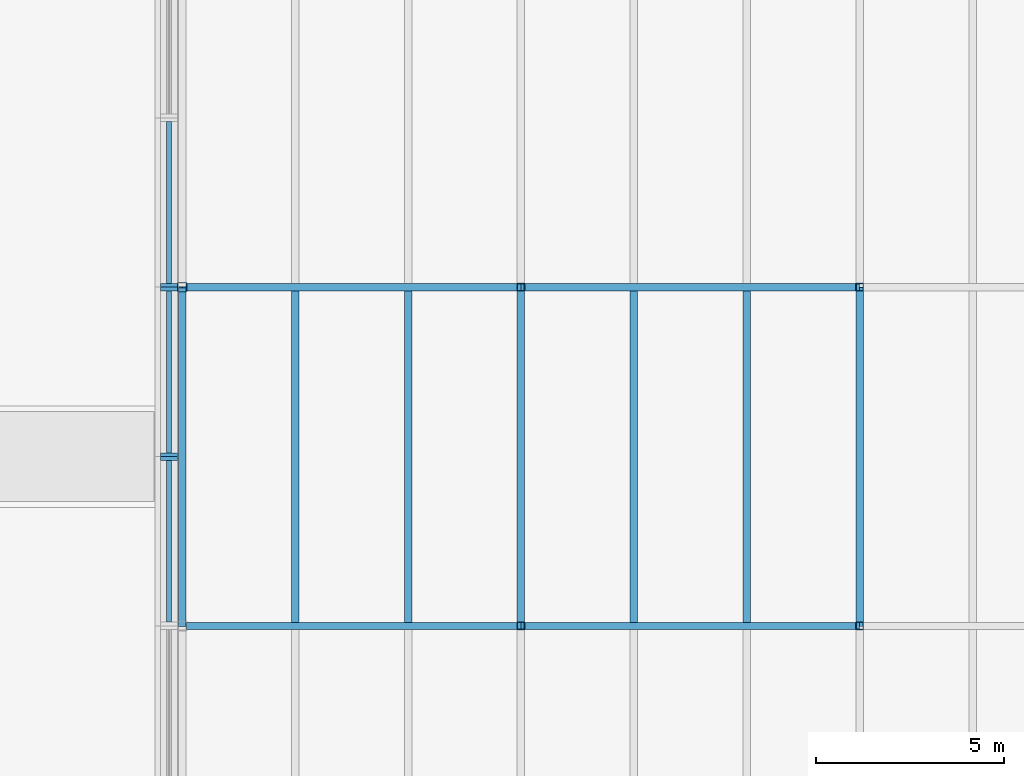
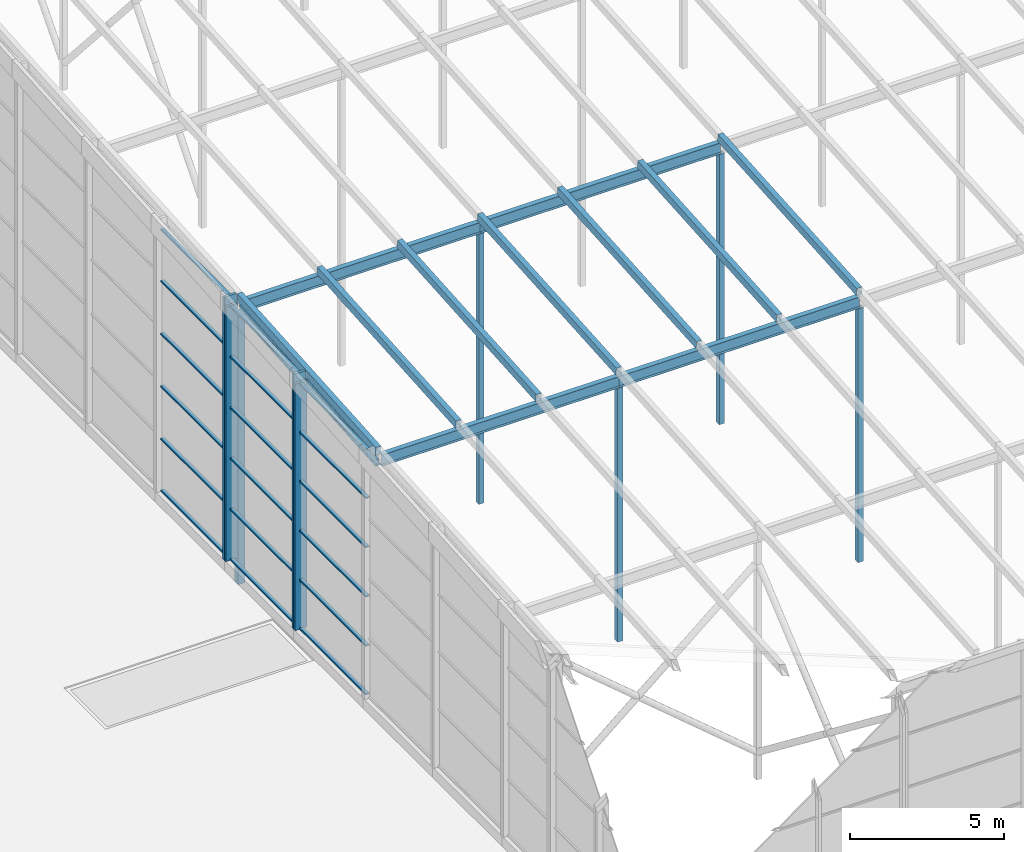
# One storey, part 5 of 84: 34 members, 5 beams, 3 elements without a shape of their own.
"""IFC4 building model written with IfcOpenShell, lengths in metres."""

from ifc_helpers import new_model, si_unit, direction, frame, origin, origin_2d, place, context, subcontext, project, spatial, rectangle, hollow_rectangle, i_section, extrude, material, material_profile, profile_set, type_object, element, aggregate, save


model = new_model("IFC4")

# Units and contexts
model_context = context("Model", 3, precision=1e-05, world=origin(), true_north=direction((0.0, 1.0)))
body_context = subcontext(model_context, "Body", "Model", "MODEL_VIEW")
ifc_project = project(units=[si_unit("LENGTHUNIT", "METRE"), si_unit("AREAUNIT", "SQUARE_METRE"), si_unit("VOLUMEUNIT", "CUBIC_METRE"), si_unit("PLANEANGLEUNIT", "RADIAN"), si_unit("MASSUNIT", "GRAM", prefix="KILO")], contexts=[model_context])

# Site, building, storey
site_placement = place(None, origin())
site = spatial("IfcSite", under=ifc_project, at=site_placement, CompositionType="ELEMENT")
building_placement = place(site_placement, origin())
building = spatial("IfcBuilding", under=site, at=building_placement, Name="Silverbay Arena", CompositionType="ELEMENT")
storey_placement = place(building_placement, frame((0.0, 0.0, 47.10009765625)))
storey = spatial("IfcBuildingStorey", under=building, at=storey_placement, Name="ROOF", CompositionType="ELEMENT", Elevation=47.10009765625)

# Curtain wall, member
ifc_material_1 = material(Name="Aluminium framed glazing", Category="aluminium")
curtain_wall_type_1 = type_object("IfcCurtainWallType", Name="Curtain wall crown 4500 x 9750", PredefinedType="NOTDEFINED", material=ifc_material_1)
curtain_wall_1_placement = place(storey_placement, origin())
curtain_wall_1 = element("IfcCurtainWall", 1, at=curtain_wall_1_placement, inside=storey, type_object=curtain_wall_type_1, Name="ROOF CROWN CURTAIN WALL west bay 06", PredefinedType="NOTDEFINED")
ifc_material_2 = material(Name="Aluminium", Category="aluminium")
ifc_material_profile_1 = material_profile(ifc_material_2, rectangle(XDim=0.449951171875, YDim=0.10009765625, at=origin_2d()), Name="Mullion 100 x 450")
ifc_profile_set_1 = profile_set([ifc_material_profile_1], Name="Aluminium")
member_type_1 = type_object("IfcMemberType", Name="Mullion 100 x 450", PredefinedType="MULLION", material=ifc_profile_set_1)
placement = place(building_placement, frame((0.0, 0.0, 33.5)))
member_1_placement = place(placement, frame((80.64990234375, 49.449951171875, 14.050048828125), z_axis=(0.0, 0.0, 1.0), x_axis=(-1.0, 0.0, 0.0)))
member_1 = element("IfcMember", 2, at=member_1_placement, type_object=member_type_1, Name="CW68 mullion 2", PredefinedType="MULLION", context=body_context, shape_type="SweptSolid", body=[
    extrude(rectangle(XDim=0.449951171875, YDim=0.10009765625, at=origin_2d()), origin(), (0.0, 0.0, 1.0), 9.75),
])

# Curtain wall, members
ifc_material_3 = material(Name="Aluminium framed glazing", Category="aluminium")
curtain_wall_type_2 = type_object("IfcCurtainWallType", Name="Curtain wall crown 4500 x 10075", PredefinedType="NOTDEFINED", material=ifc_material_3)
curtain_wall_2_placement = place(storey_placement, origin())
curtain_wall_2 = element("IfcCurtainWall", 3, at=curtain_wall_2_placement, inside=storey, type_object=curtain_wall_type_2, Name="ROOF CROWN CURTAIN WALL west bay 07", PredefinedType="NOTDEFINED")
member_2_placement = place(placement, frame((80.64990234375, 49.550048828125, 14.050048828125), z_axis=(0.0, 0.0, 1.0), x_axis=(-1.0, 0.0, 0.0)))
member_2 = element("IfcMember", 4, at=member_2_placement, type_object=member_type_1, Name="CW69 mullion 1", PredefinedType="MULLION", context=body_context, shape_type="SweptSolid", body=[
    extrude(rectangle(XDim=0.449951171875, YDim=0.10009765625, at=origin_2d()), origin(), (0.0, 0.0, 1.0), 10.074951171875),
])
member_3_placement = place(placement, frame((80.64990234375, 53.949951171875, 14.050048828125), z_axis=(0.0, 0.0, 1.0), x_axis=(-1.0, 0.0, 0.0)))
member_3 = element("IfcMember", 5, at=member_3_placement, type_object=member_type_1, Name="CW69 mullion 2", PredefinedType="MULLION", context=body_context, shape_type="SweptSolid", body=[
    extrude(rectangle(XDim=0.449951171875, YDim=0.10009765625, at=origin_2d()), origin(), (0.0, 0.0, 1.0), 10.074951171875),
])

# Curtain wall, member
ifc_material_4 = material(Name="Aluminium framed glazing", Category="aluminium")
curtain_wall_type_3 = type_object("IfcCurtainWallType", Name="Curtain wall crown 4500 x 10400", PredefinedType="NOTDEFINED", material=ifc_material_4)
curtain_wall_3_placement = place(storey_placement, origin())
curtain_wall_3 = element("IfcCurtainWall", 6, at=curtain_wall_3_placement, inside=storey, type_object=curtain_wall_type_3, Name="ROOF CROWN CURTAIN WALL west bay 08", PredefinedType="NOTDEFINED")
member_4_placement = place(placement, frame((80.64990234375, 54.050048828125, 14.050048828125), z_axis=(0.0, 0.0, 1.0), x_axis=(-1.0, 0.0, 0.0)))
member_4 = element("IfcMember", 7, at=member_4_placement, type_object=member_type_1, Name="CW70 mullion 1", PredefinedType="MULLION", context=body_context, shape_type="SweptSolid", body=[
    extrude(rectangle(XDim=0.449951171875, YDim=0.10009765625, at=origin_2d()), origin(), (0.0, 0.0, 1.0), 10.39990234375),
])

# Members
ifc_material_5 = material(Name="Steel S355", Category="steel")
ifc_material_profile_2 = material_profile(ifc_material_5, hollow_rectangle(XDim=0.199951171875, YDim=0.300048828125, WallThickness=0.00634765625, at=origin_2d()), Name="RHS 300x200x6.3")
ifc_profile_set_2 = profile_set([ifc_material_profile_2], Name="Steel S355")
member_type_2 = type_object("IfcMemberType", Name="Purlin RHS 300x200x6.3", PredefinedType="PURLIN", material=ifc_profile_set_2)
for number, where, z_axis, x_axis, name in (
    (8, (84.0, 45.0, 10.049560546875), (0.0, 0.997402911363, 0.072023832195), (-1.0, 0.0, 0.0), "ROOF PURLIN crown line 02 bay 03"),
    (9, (87.0, 45.0, 10.049560546875), (0.0, 0.997402911363, 0.072023832195), (-1.0, 0.0, 0.0), "ROOF PURLIN crown line 03 bay 03"),
    (10, (90.0, 45.0, 10.049560546875), (0.0, 0.997402911363, 0.072023832195), (-1.0, 0.0, 0.0), "ROOF PURLIN crown line 04 bay 03"),
    (11, (93.0, 45.0, 10.049560546875), (0.0, 0.997402911363, 0.072023832195), (-1.0, 0.0, 0.0), "ROOF PURLIN crown line 05 bay 03"),
    (12, (96.0, 45.0, 10.049560546875), (0.0, 0.997402911363, 0.072023832195), (-1.0, 0.0, 0.0), "ROOF PURLIN crown line 06 bay 03"),
    (13, (99.0, 45.0, 10.049560546875), (0.0, 0.997402911363, 0.072023832195), (-1.0, 0.0, 0.0), "ROOF PURLIN crown line 07 bay 03"),
):
    element("IfcMember", number, at=place(storey_placement, frame(where, z_axis=z_axis, x_axis=x_axis)), inside=storey, type_object=member_type_2, Name=name, PredefinedType="PURLIN", context=body_context, shape_type="SweptSolid", body=[
        extrude(hollow_rectangle(XDim=0.199951171875, YDim=0.300048828125, WallThickness=0.00634765625, at=origin_2d()), origin(), (0.0, 0.0, 1.0), 9.0234375),
    ])
ifc_material_6 = material(Name="Steel S355", Category="steel")
ifc_material_profile_3 = material_profile(ifc_material_6, hollow_rectangle(XDim=0.199951171875, YDim=0.300048828125, WallThickness=0.008056640625, at=origin_2d()), Name="RHS 300x200x8")
ifc_profile_set_3 = profile_set([ifc_material_profile_3], Name="Steel S355")
member_type_3 = type_object("IfcMemberType", Name="Purlin RHS 300x200x8", PredefinedType="PURLIN", material=ifc_profile_set_3)
member_5_placement = place(storey_placement, frame((81.0, 45.0, 10.049560546875), z_axis=(0.0, 0.997402911363, 0.072023832195), x_axis=(-1.0, 0.0, 0.0)))
element("IfcMember", 14, at=member_5_placement, inside=storey, type_object=member_type_3, Name="ROOF PURLIN crown line 01 bay 03", PredefinedType="PURLIN", context=body_context, shape_type="SweptSolid", body=[
    extrude(hollow_rectangle(XDim=0.199951171875, YDim=0.300048828125, WallThickness=0.008056640625, at=origin_2d()), origin(), (0.0, 0.0, 1.0), 9.0234375),
])

# Beams
ifc_material_7 = material(Name="Steel S355", Category="steel")
ifc_material_profile_4 = material_profile(ifc_material_7, i_section(OverallWidth=0.18994140625, OverallDepth=0.453369140625, WebThickness=0.008544921875, FlangeThickness=0.0126953125, at=origin_2d()), Name="UB 457x191x67")
ifc_profile_set_4 = profile_set([ifc_material_profile_4], Name="Steel S355")
beam_type = type_object("IfcBeamType", Name="Ring beam UB 457x191x67", PredefinedType="BEAM", material=ifc_profile_set_4)
beam_1_placement = place(storey_placement, frame((81.094970703125, 45.0, 9.67236328125), z_axis=(1.0, 0.0, 0.0), x_axis=(0.0, 1.0, 0.0)))
element("IfcBeam", 15, at=beam_1_placement, inside=storey, type_object=beam_type, Name="RING BEAM crown row 03 10-11", PredefinedType="BEAM", context=body_context, shape_type="SweptSolid", body=[
    extrude(i_section(OverallWidth=0.18994140625, OverallDepth=0.453369140625, WebThickness=0.008544921875, FlangeThickness=0.0126953125, at=origin_2d()), origin(), (0.0, 0.0, 1.0), 8.905029296875),
])
beam_2_placement = place(storey_placement, frame((90.0, 45.0, 9.67236328125), z_axis=(1.0, 0.0, 0.0), x_axis=(0.0, 1.0, 0.0)))
element("IfcBeam", 16, at=beam_2_placement, inside=storey, type_object=beam_type, Name="RING BEAM crown row 03 11-12", PredefinedType="BEAM", context=body_context, shape_type="SweptSolid", body=[
    extrude(i_section(OverallWidth=0.18994140625, OverallDepth=0.453369140625, WebThickness=0.008544921875, FlangeThickness=0.0126953125, at=origin_2d()), origin(), (0.0, 0.0, 1.0), 9.0),
])
beam_3_placement = place(storey_placement, frame((81.094970703125, 54.0, 10.322509765625), z_axis=(1.0, 0.0, 0.0), x_axis=(0.0, 1.0, 0.0)))
element("IfcBeam", 17, at=beam_3_placement, inside=storey, type_object=beam_type, Name="RING BEAM crown row 04 10-11", PredefinedType="BEAM", context=body_context, shape_type="SweptSolid", body=[
    extrude(i_section(OverallWidth=0.18994140625, OverallDepth=0.453369140625, WebThickness=0.008544921875, FlangeThickness=0.0126953125, at=origin_2d()), origin(), (0.0, 0.0, 1.0), 8.905029296875),
])
beam_4_placement = place(storey_placement, frame((90.0, 54.0, 10.322509765625), z_axis=(1.0, 0.0, 0.0), x_axis=(0.0, 1.0, 0.0)))
element("IfcBeam", 18, at=beam_4_placement, inside=storey, type_object=beam_type, Name="RING BEAM crown row 04 11-12", PredefinedType="BEAM", context=body_context, shape_type="SweptSolid", body=[
    extrude(i_section(OverallWidth=0.18994140625, OverallDepth=0.453369140625, WebThickness=0.008544921875, FlangeThickness=0.0126953125, at=origin_2d()), origin(), (0.0, 0.0, 1.0), 9.0),
])
beam_5_placement = place(storey_placement, frame((81.0, 45.0, 9.67236328125), z_axis=(0.0, 0.997400967367, 0.07205074805), x_axis=(-1.0, 0.0, 0.0)))
element("IfcBeam", 19, at=beam_5_placement, inside=storey, type_object=beam_type, Name="RING BEAM crown west edge 03", PredefinedType="BEAM", context=body_context, shape_type="SweptSolid", body=[
    extrude(i_section(OverallWidth=0.18994140625, OverallDepth=0.453369140625, WebThickness=0.008544921875, FlangeThickness=0.0126953125, at=origin_2d()), origin(), (0.0, 0.0, 1.0), 9.0234375),
])

# Members
ifc_material_8 = material(Name="Steel S355", Category="steel")
ifc_material_profile_5 = material_profile(ifc_material_8, hollow_rectangle(XDim=0.199951171875, YDim=0.199951171875, WallThickness=0.008056640625, at=origin_2d()), Name="SHS 200x200x8")
ifc_profile_set_5 = profile_set([ifc_material_profile_5], Name="Steel S355")
member_type_4 = type_object("IfcMemberType", Name="Roof post SHS 200x200x8", PredefinedType="POST", material=ifc_profile_set_5)
member_6_placement = place(storey_placement, frame((90.0, 45.0, -0.60009765625), z_axis=(0.0, 0.0, 1.0), x_axis=(1.0, 0.0, 0.0)))
element("IfcMember", 20, at=member_6_placement, inside=storey, type_object=member_type_4, Name="ROOF CROWN POST 11 row 03", PredefinedType="POST", context=body_context, shape_type="SweptSolid", body=[
    extrude(hollow_rectangle(XDim=0.199951171875, YDim=0.199951171875, WallThickness=0.008056640625, at=origin_2d()), origin(), (0.0, 0.0, 1.0), 10.0458984375),
])
member_7_placement = place(storey_placement, frame((90.0, 54.0, -0.60009765625), z_axis=(0.0, 0.0, 1.0), x_axis=(1.0, 0.0, 0.0)))
element("IfcMember", 21, at=member_7_placement, inside=storey, type_object=member_type_4, Name="ROOF CROWN POST 11 row 04", PredefinedType="POST", context=body_context, shape_type="SweptSolid", body=[
    extrude(hollow_rectangle(XDim=0.199951171875, YDim=0.199951171875, WallThickness=0.008056640625, at=origin_2d()), origin(), (0.0, 0.0, 1.0), 10.69580078125),
])
member_8_placement = place(storey_placement, frame((99.0, 45.0, -0.60009765625), z_axis=(0.0, 0.0, 1.0), x_axis=(1.0, 0.0, 0.0)))
element("IfcMember", 22, at=member_8_placement, inside=storey, type_object=member_type_4, Name="ROOF CROWN POST 12 row 03", PredefinedType="POST", context=body_context, shape_type="SweptSolid", body=[
    extrude(hollow_rectangle(XDim=0.199951171875, YDim=0.199951171875, WallThickness=0.008056640625, at=origin_2d()), origin(), (0.0, 0.0, 1.0), 10.0458984375),
])
member_9_placement = place(storey_placement, frame((99.0, 54.0, -0.60009765625), z_axis=(0.0, 0.0, 1.0), x_axis=(1.0, 0.0, 0.0)))
element("IfcMember", 23, at=member_9_placement, inside=storey, type_object=member_type_4, Name="ROOF CROWN POST 12 row 04", PredefinedType="POST", context=body_context, shape_type="SweptSolid", body=[
    extrude(hollow_rectangle(XDim=0.199951171875, YDim=0.199951171875, WallThickness=0.008056640625, at=origin_2d()), origin(), (0.0, 0.0, 1.0), 10.69580078125),
])
ifc_material_9 = material(Name="Steel S355", Category="steel")
ifc_material_profile_6 = material_profile(ifc_material_9, hollow_rectangle(XDim=0.25, YDim=0.25, WallThickness=0.008056640625, at=origin_2d()), Name="SHS 250x250x8")
ifc_profile_set_6 = profile_set([ifc_material_profile_6], Name="Steel S355")
member_type_5 = type_object("IfcMemberType", Name="Roof post SHS 250x250x8", PredefinedType="POST", material=ifc_profile_set_6)
member_10_placement = place(storey_placement, frame((81.0, 54.0, -0.60009765625), z_axis=(0.0, 0.0, 1.0), x_axis=(1.0, 0.0, 0.0)))
element("IfcMember", 24, at=member_10_placement, inside=storey, type_object=member_type_5, Name="ROOF CROWN POST 10 row 04", PredefinedType="POST", context=body_context, shape_type="SweptSolid", body=[
    extrude(hollow_rectangle(XDim=0.25, YDim=0.25, WallThickness=0.008056640625, at=origin_2d()), origin(), (0.0, 0.0, 1.0), 10.69580078125),
])

# Member
ifc_material_10 = material(Name="Aluminium", Category="aluminium")
ifc_material_profile_7 = material_profile(ifc_material_10, rectangle(XDim=0.139892578125, YDim=0.06005859375, at=origin_2d()), Name="Transom 60 x 140")
ifc_profile_set_7 = profile_set([ifc_material_profile_7], Name="Aluminium")
member_type_6 = type_object("IfcMemberType", Name="Transom 60 x 140", PredefinedType="USERDEFINED", material=ifc_profile_set_7)
member_11_placement = place(placement, frame((80.64990234375, 45.10009765625, 14.080078125), z_axis=(0.0, 1.0, 0.0), x_axis=(-1.0, 0.0, 0.0)))
member_11 = element("IfcMember", 25, at=member_11_placement, type_object=member_type_6, Name="CW68 transom 1.1", ObjectType="TRANSOM", PredefinedType="USERDEFINED", context=body_context, shape_type="SweptSolid", body=[
    extrude(rectangle(XDim=0.139892578125, YDim=0.06005859375, at=origin_2d()), origin(), (0.0, 0.0, 1.0), 4.2998046875),
])

member_12_placement = place(placement, frame((80.64990234375, 45.10009765625, 16.0), z_axis=(0.0, 1.0, 0.0), x_axis=(-1.0, 0.0, 0.0)))
member_12 = element("IfcMember", 26, at=member_12_placement, type_object=member_type_6, Name="CW68 transom 1.2", ObjectType="TRANSOM", PredefinedType="USERDEFINED", context=body_context, shape_type="SweptSolid", body=[
    extrude(rectangle(XDim=0.139892578125, YDim=0.06005859375, at=origin_2d()), origin(), (0.0, 0.0, 1.0), 4.2998046875),
])

member_13_placement = place(placement, frame((80.64990234375, 45.10009765625, 17.949951171875), z_axis=(0.0, 1.0, 0.0), x_axis=(-1.0, 0.0, 0.0)))
member_13 = element("IfcMember", 27, at=member_13_placement, type_object=member_type_6, Name="CW68 transom 1.3", ObjectType="TRANSOM", PredefinedType="USERDEFINED", context=body_context, shape_type="SweptSolid", body=[
    extrude(rectangle(XDim=0.139892578125, YDim=0.06005859375, at=origin_2d()), origin(), (0.0, 0.0, 1.0), 4.2998046875),
])

member_14_placement = place(placement, frame((80.64990234375, 45.10009765625, 19.89990234375), z_axis=(0.0, 1.0, 0.0), x_axis=(-1.0, 0.0, 0.0)))
member_14 = element("IfcMember", 28, at=member_14_placement, type_object=member_type_6, Name="CW68 transom 1.4", ObjectType="TRANSOM", PredefinedType="USERDEFINED", context=body_context, shape_type="SweptSolid", body=[
    extrude(rectangle(XDim=0.139892578125, YDim=0.06005859375, at=origin_2d()), origin(), (0.0, 0.0, 1.0), 4.2998046875),
])

member_15_placement = place(placement, frame((80.64990234375, 45.10009765625, 21.85009765625), z_axis=(0.0, 1.0, 0.0), x_axis=(-1.0, 0.0, 0.0)))
member_15 = element("IfcMember", 29, at=member_15_placement, type_object=member_type_6, Name="CW68 transom 1.5", ObjectType="TRANSOM", PredefinedType="USERDEFINED", context=body_context, shape_type="SweptSolid", body=[
    extrude(rectangle(XDim=0.139892578125, YDim=0.06005859375, at=origin_2d()), origin(), (0.0, 0.0, 1.0), 4.2998046875),
])

member_16_placement = place(placement, frame((80.64990234375, 45.10009765625, 23.77001953125), z_axis=(0.0, 1.0, 0.0), x_axis=(-1.0, 0.0, 0.0)))
member_16 = element("IfcMember", 30, at=member_16_placement, type_object=member_type_6, Name="CW68 transom 1.6", ObjectType="TRANSOM", PredefinedType="USERDEFINED", context=body_context, shape_type="SweptSolid", body=[
    extrude(rectangle(XDim=0.139892578125, YDim=0.06005859375, at=origin_2d()), origin(), (0.0, 0.0, 1.0), 4.2998046875),
])

aggregate(curtain_wall_1, [member_1, member_11, member_12, member_13, member_14, member_15, member_16])

member_17_placement = place(placement, frame((80.64990234375, 49.60009765625, 14.080078125), z_axis=(0.0, 1.0, 0.0), x_axis=(-1.0, 0.0, 0.0)))
member_17 = element("IfcMember", 31, at=member_17_placement, type_object=member_type_6, Name="CW69 transom 1.1", ObjectType="TRANSOM", PredefinedType="USERDEFINED", context=body_context, shape_type="SweptSolid", body=[
    extrude(rectangle(XDim=0.139892578125, YDim=0.06005859375, at=origin_2d()), origin(), (0.0, 0.0, 1.0), 4.2998046875),
])

member_18_placement = place(placement, frame((80.64990234375, 49.60009765625, 16.06494140625), z_axis=(0.0, 1.0, 0.0), x_axis=(-1.0, 0.0, 0.0)))
member_18 = element("IfcMember", 32, at=member_18_placement, type_object=member_type_6, Name="CW69 transom 1.2", ObjectType="TRANSOM", PredefinedType="USERDEFINED", context=body_context, shape_type="SweptSolid", body=[
    extrude(rectangle(XDim=0.139892578125, YDim=0.06005859375, at=origin_2d()), origin(), (0.0, 0.0, 1.0), 4.2998046875),
])

member_19_placement = place(placement, frame((80.64990234375, 49.60009765625, 18.080078125), z_axis=(0.0, 1.0, 0.0), x_axis=(-1.0, 0.0, 0.0)))
member_19 = element("IfcMember", 33, at=member_19_placement, type_object=member_type_6, Name="CW69 transom 1.3", ObjectType="TRANSOM", PredefinedType="USERDEFINED", context=body_context, shape_type="SweptSolid", body=[
    extrude(rectangle(XDim=0.139892578125, YDim=0.06005859375, at=origin_2d()), origin(), (0.0, 0.0, 1.0), 4.2998046875),
])

member_20_placement = place(placement, frame((80.64990234375, 49.60009765625, 20.094970703125), z_axis=(0.0, 1.0, 0.0), x_axis=(-1.0, 0.0, 0.0)))
member_20 = element("IfcMember", 34, at=member_20_placement, type_object=member_type_6, Name="CW69 transom 1.4", ObjectType="TRANSOM", PredefinedType="USERDEFINED", context=body_context, shape_type="SweptSolid", body=[
    extrude(rectangle(XDim=0.139892578125, YDim=0.06005859375, at=origin_2d()), origin(), (0.0, 0.0, 1.0), 4.2998046875),
])

member_21_placement = place(placement, frame((80.64990234375, 49.60009765625, 22.110107421875), z_axis=(0.0, 1.0, 0.0), x_axis=(-1.0, 0.0, 0.0)))
member_21 = element("IfcMember", 35, at=member_21_placement, type_object=member_type_6, Name="CW69 transom 1.5", ObjectType="TRANSOM", PredefinedType="USERDEFINED", context=body_context, shape_type="SweptSolid", body=[
    extrude(rectangle(XDim=0.139892578125, YDim=0.06005859375, at=origin_2d()), origin(), (0.0, 0.0, 1.0), 4.2998046875),
])

member_22_placement = place(placement, frame((80.64990234375, 49.60009765625, 24.094970703125), z_axis=(0.0, 1.0, 0.0), x_axis=(-1.0, 0.0, 0.0)))
member_22 = element("IfcMember", 36, at=member_22_placement, type_object=member_type_6, Name="CW69 transom 1.6", ObjectType="TRANSOM", PredefinedType="USERDEFINED", context=body_context, shape_type="SweptSolid", body=[
    extrude(rectangle(XDim=0.139892578125, YDim=0.06005859375, at=origin_2d()), origin(), (0.0, 0.0, 1.0), 4.2998046875),
])

aggregate(curtain_wall_2, [member_2, member_3, member_17, member_18, member_19, member_20, member_21, member_22])

member_23_placement = place(placement, frame((80.64990234375, 54.10009765625, 14.080078125), z_axis=(0.0, 1.0, 0.0), x_axis=(-1.0, 0.0, 0.0)))
member_23 = element("IfcMember", 37, at=member_23_placement, type_object=member_type_6, Name="CW70 transom 1.1", ObjectType="TRANSOM", PredefinedType="USERDEFINED", context=body_context, shape_type="SweptSolid", body=[
    extrude(rectangle(XDim=0.139892578125, YDim=0.06005859375, at=origin_2d()), origin(), (0.0, 0.0, 1.0), 4.2998046875),
])

member_24_placement = place(placement, frame((80.64990234375, 54.10009765625, 16.1298828125), z_axis=(0.0, 1.0, 0.0), x_axis=(-1.0, 0.0, 0.0)))
member_24 = element("IfcMember", 38, at=member_24_placement, type_object=member_type_6, Name="CW70 transom 1.2", ObjectType="TRANSOM", PredefinedType="USERDEFINED", context=body_context, shape_type="SweptSolid", body=[
    extrude(rectangle(XDim=0.139892578125, YDim=0.06005859375, at=origin_2d()), origin(), (0.0, 0.0, 1.0), 4.2998046875),
])

member_25_placement = place(placement, frame((80.64990234375, 54.10009765625, 18.2099609375), z_axis=(0.0, 1.0, 0.0), x_axis=(-1.0, 0.0, 0.0)))
member_25 = element("IfcMember", 39, at=member_25_placement, type_object=member_type_6, Name="CW70 transom 1.3", ObjectType="TRANSOM", PredefinedType="USERDEFINED", context=body_context, shape_type="SweptSolid", body=[
    extrude(rectangle(XDim=0.139892578125, YDim=0.06005859375, at=origin_2d()), origin(), (0.0, 0.0, 1.0), 4.2998046875),
])

member_26_placement = place(placement, frame((80.64990234375, 54.10009765625, 20.2900390625), z_axis=(0.0, 1.0, 0.0), x_axis=(-1.0, 0.0, 0.0)))
member_26 = element("IfcMember", 40, at=member_26_placement, type_object=member_type_6, Name="CW70 transom 1.4", ObjectType="TRANSOM", PredefinedType="USERDEFINED", context=body_context, shape_type="SweptSolid", body=[
    extrude(rectangle(XDim=0.139892578125, YDim=0.06005859375, at=origin_2d()), origin(), (0.0, 0.0, 1.0), 4.2998046875),
])

member_27_placement = place(placement, frame((80.64990234375, 54.10009765625, 22.3701171875), z_axis=(0.0, 1.0, 0.0), x_axis=(-1.0, 0.0, 0.0)))
member_27 = element("IfcMember", 41, at=member_27_placement, type_object=member_type_6, Name="CW70 transom 1.5", ObjectType="TRANSOM", PredefinedType="USERDEFINED", context=body_context, shape_type="SweptSolid", body=[
    extrude(rectangle(XDim=0.139892578125, YDim=0.06005859375, at=origin_2d()), origin(), (0.0, 0.0, 1.0), 4.2998046875),
])

member_28_placement = place(placement, frame((80.64990234375, 54.10009765625, 24.419921875), z_axis=(0.0, 1.0, 0.0), x_axis=(-1.0, 0.0, 0.0)))
member_28 = element("IfcMember", 42, at=member_28_placement, type_object=member_type_6, Name="CW70 transom 1.6", ObjectType="TRANSOM", PredefinedType="USERDEFINED", context=body_context, shape_type="SweptSolid", body=[
    extrude(rectangle(XDim=0.139892578125, YDim=0.06005859375, at=origin_2d()), origin(), (0.0, 0.0, 1.0), 4.2998046875),
])

aggregate(curtain_wall_3, [member_4, member_23, member_24, member_25, member_26, member_27, member_28])

save(model, "model.ifc")
